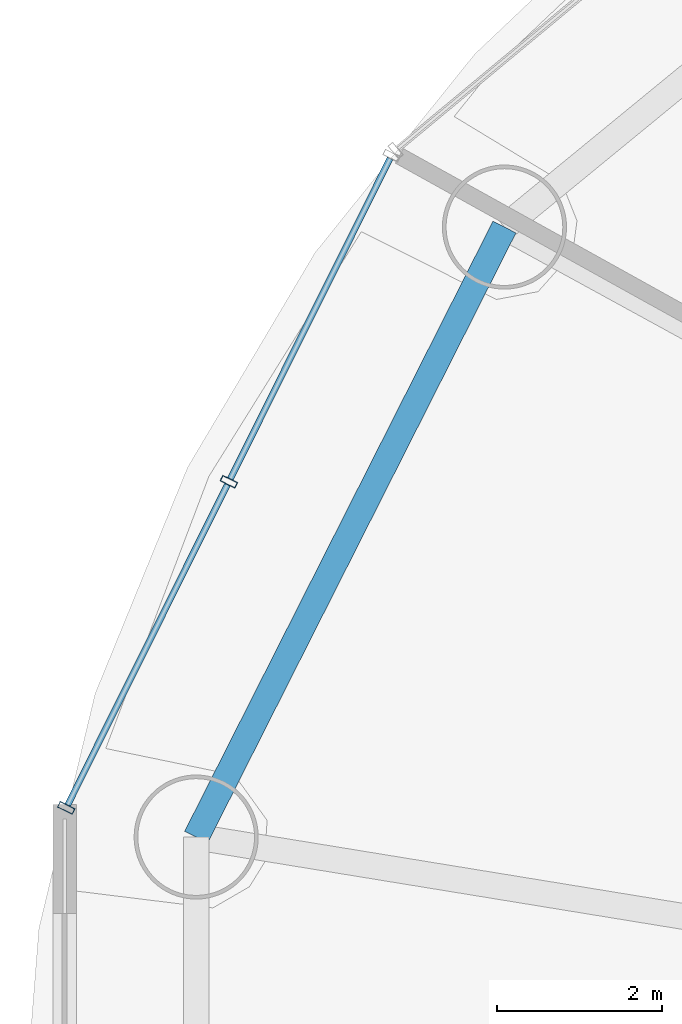
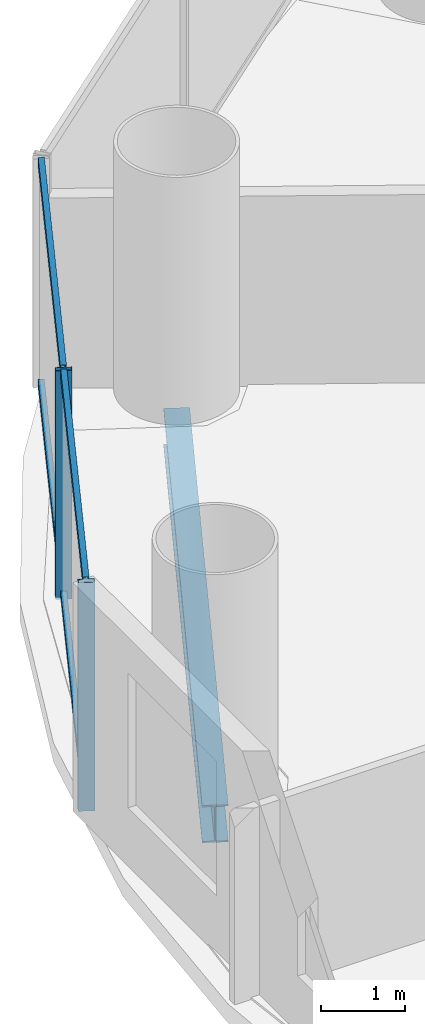
# One storey, part 9 of 29: 6 members, 1 beam, 1 element without a shape of its own.
"""IFC4 building model written with IfcOpenShell, lengths in metres."""

from ifc_helpers import new_model, si_unit, direction, frame, origin, origin_2d, place, context, subcontext, project, spatial, hollow_rectangle, i_section, extrude, source, transform, mapped, material, material_profile, profile_set, type_object, element, aggregate, save


model = new_model("IFC4")

# Units and contexts
model_context = context("Model", 3, precision=1e-05, world=origin(), true_north=direction((-0.2419218956, 0.970295726276)))
body_context = subcontext(model_context, "Body", "Model", "MODEL_VIEW")
ifc_project = project(units=[si_unit("LENGTHUNIT", "METRE"), si_unit("AREAUNIT", "SQUARE_METRE"), si_unit("VOLUMEUNIT", "CUBIC_METRE"), si_unit("PLANEANGLEUNIT", "RADIAN"), si_unit("MASSUNIT", "GRAM", prefix="KILO")], contexts=[model_context])

# Site, building, storey
site_placement = place(None, origin())
site = spatial("IfcSite", under=ifc_project, at=site_placement, CompositionType="ELEMENT")
building_placement = place(site_placement, origin())
building = spatial("IfcBuilding", under=site, at=building_placement, Name="Cobrevalo Terracotta Tower", CompositionType="ELEMENT")
storey_placement = place(building_placement, frame((0.0, 0.0, 90.60009765625)))
storey = spatial("IfcBuildingStorey", under=building, at=storey_placement, Name="L23", CompositionType="ELEMENT", Elevation=90.60009765625)

# Beam
ifc_material_1 = material(Name="Steel S355", Category="steel")
ifc_material_profile_1 = material_profile(ifc_material_1, i_section(OverallWidth=0.31201171875, OverallDepth=0.54296875, WebThickness=0.0126953125, FlangeThickness=0.020263671875, at=origin_2d()), Name="W 530x150")
ifc_profile_set_1 = profile_set([ifc_material_profile_1], Name="Steel S355")
beam_type = type_object("IfcBeamType", Name="Structural Spandrel W 530x150 (Steel S355)", PredefinedType="SPANDREL", material=ifc_profile_set_1)
beam_placement = place(storey_placement, frame((17.2548828125, 38.161376953125, -0.546630859375), z_axis=(-0.451051982172, -0.892497680321, 0.0), x_axis=(0.892497680321, -0.451051982172, 0.0)))
element("IfcBeam", 1, at=beam_placement, inside=storey, type_object=beam_type, Name="L23 perimeter ring spandrel 07", PredefinedType="SPANDREL", context=body_context, shape_type="SweptSolid", body=[
    extrude(i_section(OverallWidth=0.31201171875, OverallDepth=0.54296875, WebThickness=0.0126953125, FlangeThickness=0.020263671875, at=origin_2d()), origin(), (0.0, 0.0, 1.0), 8.259765625),
])

# Curtain wall, members
ifc_material_2 = material(Name="Anodized aluminium", Category="aluminium")
curtain_wall_type = type_object("IfcCurtainWallType", Name="Lower-tower unitised acoustic low-E curtain wall CW-U1", PredefinedType="NOTDEFINED", material=ifc_material_2)
curtain_wall_placement = place(storey_placement, origin())
curtain_wall = element("IfcCurtainWall", 2, at=curtain_wall_placement, inside=storey, type_object=curtain_wall_type, Name="L23 curtain wall CW-L23-S07", PredefinedType="NOTDEFINED")
ifc_material_profile_2 = material_profile(ifc_material_2, hollow_rectangle(XDim=0.074951171875, YDim=0.199951171875, WallThickness=0.0048828125, at=origin_2d()), Name="CWM 75x200")
ifc_profile_set_2 = profile_set([ifc_material_profile_2], Name="Anodized aluminium")
member_type_1 = type_object("IfcMemberType", Name="Lower/mid tower unitised mullion 75x200", PredefinedType="MULLION", material=ifc_profile_set_2)
shared_shape_1 = source(origin(), body_context, "Body", "SweptSolid", [
    extrude(hollow_rectangle(XDim=0.074951171875, YDim=0.199951171875, WallThickness=0.0048828125, at=origin_2d()), origin(), (0.0, 0.0, 1.0), 3.324951171875),
])
member_1_placement = place(storey_placement, frame((13.924072265625, 35.08349609375, 0.0), z_axis=(0.0, 0.0, 1.0), x_axis=(-0.446260290227, -0.894903208937, 0.0)))
member_1 = element("IfcMember", 3, at=member_1_placement, type_object=member_type_1, Name="CW-L23-S07 vertical mullion 02", PredefinedType="MULLION", context=body_context, shape_type="MappedRepresentation", body=[
    mapped(shared_shape_1, transform((0.0, 0.0, 0.0), scale=1.0)),
])
member_2_placement = place(storey_placement, frame((11.95849609375, 31.141357421875, 0.0), z_axis=(0.0, 0.0, 1.0), x_axis=(-0.446260290227, -0.894903208937, 0.0)))
member_2 = element("IfcMember", 4, at=member_2_placement, type_object=member_type_1, Name="CW-L23-S07 vertical mullion 03", PredefinedType="MULLION", context=body_context, shape_type="MappedRepresentation", body=[
    mapped(shared_shape_1, transform((0.0, 0.0, 0.0), scale=1.0)),
])
ifc_material_profile_3 = material_profile(ifc_material_2, hollow_rectangle(XDim=0.074951171875, YDim=0.14990234375, WallThickness=0.00439453125, at=origin_2d()), Name="CWT 75x150")
ifc_profile_set_3 = profile_set([ifc_material_profile_3], Name="Anodized aluminium")
member_type_2 = type_object("IfcMemberType", Name="Tower unitised aluminium transom 75x150", PredefinedType="USERDEFINED", material=ifc_profile_set_3)
shared_shape_2 = source(origin(), body_context, "Body", "SweptSolid", [
    extrude(hollow_rectangle(XDim=0.074951171875, YDim=0.14990234375, WallThickness=0.00439453125, at=origin_2d()), origin(), (0.0, 0.0, 1.0), 4.324951171875),
])
member_3_placement = place(storey_placement, frame((15.8720703125, 38.98974609375, 0.0498046875), z_axis=(-0.44624238083, -0.894912139571, 0.0), x_axis=(0.894912139571, -0.44624238083, 0.0)))
member_3 = element("IfcMember", 5, at=member_3_placement, type_object=member_type_2, Name="CW-L23-S07 transom B01-T1", ObjectType="TRANSOM", PredefinedType="USERDEFINED", context=body_context, shape_type="MappedRepresentation", body=[
    mapped(shared_shape_2, transform((0.0, 0.0, 0.0), scale=1.0)),
])
member_4_placement = place(storey_placement, frame((15.8720703125, 38.98974609375, 3.27490234375), z_axis=(-0.44624238083, -0.894912139571, 0.0), x_axis=(0.894912139571, -0.44624238083, 0.0)))
member_4 = element("IfcMember", 6, at=member_4_placement, type_object=member_type_2, Name="CW-L23-S07 transom B01-T2", ObjectType="TRANSOM", PredefinedType="USERDEFINED", context=body_context, shape_type="MappedRepresentation", body=[
    mapped(shared_shape_2, transform((0.0, 0.0, 0.0), scale=1.0)),
])
member_5_placement = place(storey_placement, frame((13.90625, 35.0478515625, 0.0498046875), z_axis=(-0.446219838389, -0.894923379864, 0.0), x_axis=(0.894923379864, -0.446219838389, 0.0)))
member_5 = element("IfcMember", 7, at=member_5_placement, type_object=member_type_2, Name="CW-L23-S07 transom B02-T1", ObjectType="TRANSOM", PredefinedType="USERDEFINED", context=body_context, shape_type="MappedRepresentation", body=[
    mapped(shared_shape_2, transform((0.0, 0.0, 0.0), scale=1.0)),
])
member_6_placement = place(storey_placement, frame((13.90625, 35.0478515625, 3.27490234375), z_axis=(-0.446219838389, -0.894923379864, 0.0), x_axis=(0.894923379864, -0.446219838389, 0.0)))
member_6 = element("IfcMember", 8, at=member_6_placement, type_object=member_type_2, Name="CW-L23-S07 transom B02-T2", ObjectType="TRANSOM", PredefinedType="USERDEFINED", context=body_context, shape_type="MappedRepresentation", body=[
    mapped(shared_shape_2, transform((0.0, 0.0, 0.0), scale=1.0)),
])
aggregate(curtain_wall, [member_1, member_2, member_3, member_4, member_5, member_6])

save(model, "model.ifc")
